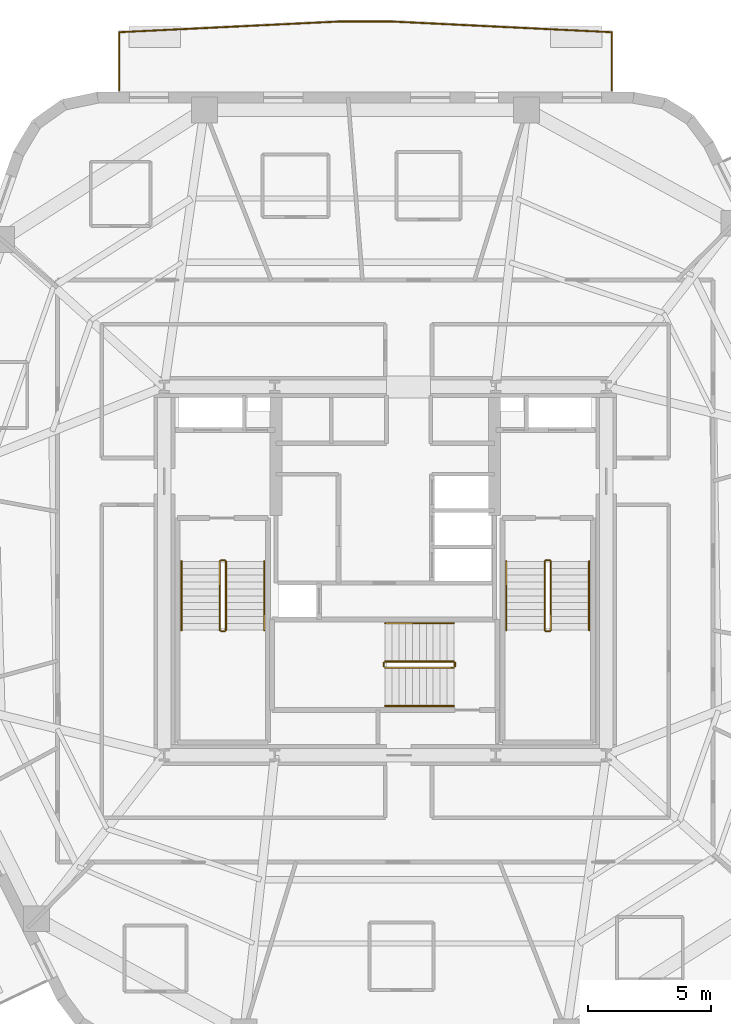
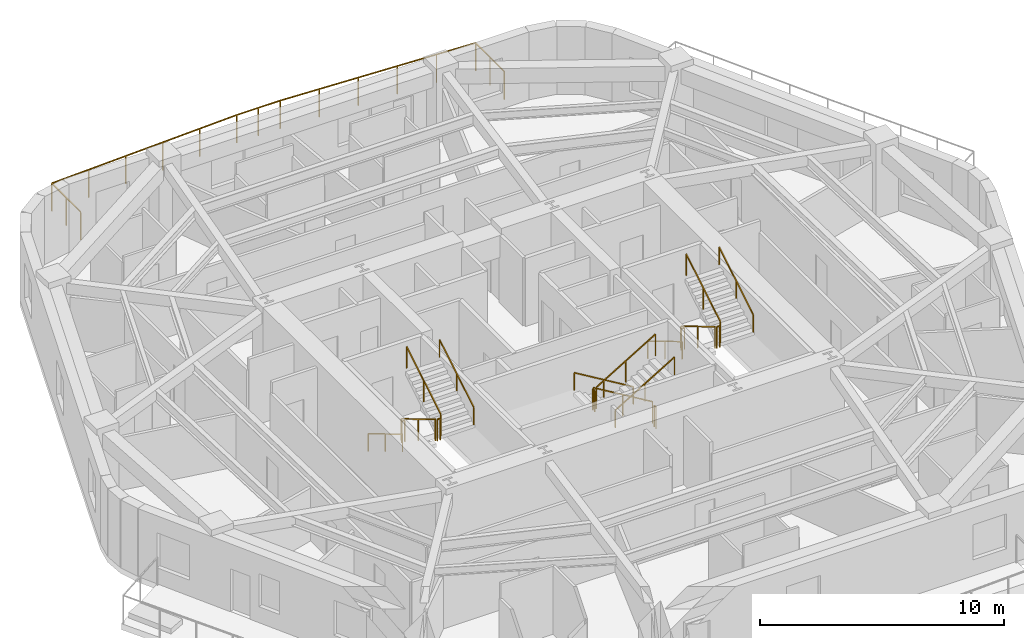
# One storey, part 9 of 10: 19 railings.
"""IFC4 building model written with IfcOpenShell, lengths in metres."""

from ifc_helpers import new_model, si_unit, direction, frame, origin, origin_2d, place, context, subcontext, project, spatial, rectangle, extrude, material, layer, layer_set, type_object, element, save


model = new_model("IFC4")

# Units and contexts
model_context = context("Model", 3, precision=1e-05, world=origin(), true_north=direction((0.0, 1.0)))
body_context = subcontext(model_context, "Body", "Model", "MODEL_VIEW")
ifc_project = project(units=[si_unit("LENGTHUNIT", "METRE"), si_unit("AREAUNIT", "SQUARE_METRE"), si_unit("VOLUMEUNIT", "CUBIC_METRE"), si_unit("PLANEANGLEUNIT", "RADIAN"), si_unit("MASSUNIT", "GRAM", prefix="KILO")], contexts=[model_context])

# Site, building, storey
site_placement = place(None, origin())
site = spatial("IfcSite", under=ifc_project, at=site_placement, CompositionType="ELEMENT")
building_placement = place(site_placement, origin())
building = spatial("IfcBuilding", under=site, at=building_placement, Name="Kilnhurst Terrace Hotel", CompositionType="ELEMENT")
storey_placement = place(building_placement, frame((0.0, 0.0, 148.0)))
storey = spatial("IfcBuildingStorey", under=building, at=storey_placement, Name="L36", CompositionType="ELEMENT", Elevation=148.0)

# Railings
ifc_material_1 = material(Name="Laminated SentryGlas and Stainless Steel AISI 316L Balustrade", Category="steel")
ifc_layer_1 = layer(ifc_material_1, 0.070068359375, Name="Laminated SentryGlas and Stainless Steel AISI 316L Balustrade")
ifc_layer_set_1 = layer_set([ifc_layer_1], Name="Laminated SentryGlas and Stainless Steel AISI 316L Balustrade")
railing_type_1 = type_object("IfcRailingType", Name="RLG-BAL-1420", PredefinedType="BALUSTRADE", material=ifc_layer_set_1)
railing_1_placement = place(storey_placement, frame((-10.83349609375, 19.580078125, 0.0)))
element("IfcRailing", 1, at=railing_1_placement, inside=storey, type_object=railing_type_1, Name="L36 Exterior Terrace Guardrail BAL-L1B.1", PredefinedType="BALUSTRADE", context=body_context, shape_type="SweptSolid", body=[
    extrude(rectangle(XDim=0.048095703125, YDim=0.048095703125, at=origin_2d()), frame((0.0, 0.0, 1.39599609375), z_axis=(0.0, 1.0, 0.0), x_axis=(-1.0, 0.0, 0.0)), (0.0, 0.0, 1.0), 2.36279296875),
    extrude(rectangle(XDim=0.048095703125, YDim=0.048095703125, at=origin_2d()), frame((0.0, 2.36279296875, 1.39599609375), z_axis=(0.998822813861, 0.048507592295, 0.0), x_axis=(-0.048507592295, 0.998822813861, 0.0)), (0.0, 0.0, 1.0), 9.009033203125),
    extrude(rectangle(XDim=0.048095703125, YDim=0.048095703125, at=origin_2d()), frame((8.99853515625, 2.7998046875, 1.39599609375), z_axis=(1.0, 0.0, 0.0), x_axis=(0.0, 1.0, 0.0)), (0.0, 0.0, 1.0), 2.0556640625),
    extrude(rectangle(XDim=0.048095703125, YDim=0.048095703125, at=origin_2d()), frame((11.05419921875, 2.7998046875, 1.39599609375), z_axis=(0.998822813861, -0.048507592295, 0.0), x_axis=(0.048507592295, 0.998822813861, 0.0)), (0.0, 0.0, 1.0), 9.009033203125),
    extrude(rectangle(XDim=0.048095703125, YDim=0.048095703125, at=origin_2d()), frame((20.052734375, 2.36279296875, 1.39599609375), z_axis=(0.0, -1.0, 0.0), x_axis=(1.0, 0.0, 0.0)), (0.0, 0.0, 1.0), 2.36279296875),
    extrude(rectangle(XDim=0.0419921875, YDim=0.0419921875, at=origin_2d()), origin(), (0.0, 0.0, 1.0), 1.371826171875),
    extrude(rectangle(XDim=0.0419921875, YDim=0.0419921875, at=origin_2d()), frame((0.0, 1.181396484375, 0.0)), (0.0, 0.0, 1.0), 1.371826171875),
    extrude(rectangle(XDim=0.0419921875, YDim=0.0419921875, at=origin_2d()), frame((0.0, 2.36279296875, 0.0)), (0.0, 0.0, 1.0), 1.371826171875),
    extrude(rectangle(XDim=0.0419921875, YDim=0.0419921875, at=origin_2d()), frame((1.7998046875, 2.4501953125, 0.0)), (0.0, 0.0, 1.0), 1.371826171875),
    extrude(rectangle(XDim=0.0419921875, YDim=0.0419921875, at=origin_2d()), frame((3.599365234375, 2.53759765625, 0.0)), (0.0, 0.0, 1.0), 1.371826171875),
    extrude(rectangle(XDim=0.0419921875, YDim=0.0419921875, at=origin_2d()), frame((5.399169921875, 2.625, 0.0)), (0.0, 0.0, 1.0), 1.371826171875),
    extrude(rectangle(XDim=0.0419921875, YDim=0.0419921875, at=origin_2d()), frame((7.19873046875, 2.71240234375, 0.0)), (0.0, 0.0, 1.0), 1.371826171875),
    extrude(rectangle(XDim=0.0419921875, YDim=0.0419921875, at=origin_2d()), frame((8.99853515625, 2.7998046875, 0.0)), (0.0, 0.0, 1.0), 1.371826171875),
    extrude(rectangle(XDim=0.0419921875, YDim=0.0419921875, at=origin_2d()), frame((10.0263671875, 2.7998046875, 0.0)), (0.0, 0.0, 1.0), 1.371826171875),
    extrude(rectangle(XDim=0.0419921875, YDim=0.0419921875, at=origin_2d()), frame((11.05419921875, 2.7998046875, 0.0)), (0.0, 0.0, 1.0), 1.371826171875),
    extrude(rectangle(XDim=0.0419921875, YDim=0.0419921875, at=origin_2d()), frame((12.85400390625, 2.71240234375, 0.0)), (0.0, 0.0, 1.0), 1.371826171875),
    extrude(rectangle(XDim=0.0419921875, YDim=0.0419921875, at=origin_2d()), frame((14.653564453125, 2.625, 0.0)), (0.0, 0.0, 1.0), 1.371826171875),
    extrude(rectangle(XDim=0.0419921875, YDim=0.0419921875, at=origin_2d()), frame((16.453369140625, 2.53759765625, 0.0)), (0.0, 0.0, 1.0), 1.371826171875),
    extrude(rectangle(XDim=0.0419921875, YDim=0.0419921875, at=origin_2d()), frame((18.2529296875, 2.4501953125, 0.0)), (0.0, 0.0, 1.0), 1.371826171875),
    extrude(rectangle(XDim=0.0419921875, YDim=0.0419921875, at=origin_2d()), frame((20.052734375, 2.36279296875, 0.0)), (0.0, 0.0, 1.0), 1.371826171875),
    extrude(rectangle(XDim=0.0419921875, YDim=0.0419921875, at=origin_2d()), frame((20.052734375, 1.181396484375, 0.0)), (0.0, 0.0, 1.0), 1.371826171875),
    extrude(rectangle(XDim=0.0419921875, YDim=0.0419921875, at=origin_2d()), frame((20.052734375, 0.0, 0.0)), (0.0, 0.0, 1.0), 1.371826171875),
])
ifc_material_2 = material(Name="Powder-Coated Steel ASTM A500 Grade B", Category="steel")
ifc_layer_2 = layer(ifc_material_2, 0.050048828125, Name="Powder-Coated Steel ASTM A500 Grade B")
ifc_layer_set_2 = layer_set([ifc_layer_2], Name="Powder-Coated Steel ASTM A500 Grade B")
railing_type_2 = type_object("IfcRailingType", Name="RLG-ST-GRD-1100", PredefinedType="GUARDRAIL", material=ifc_layer_set_2)
railing_2_placement = place(storey_placement, frame((-6.739990234375, 0.389892578125, 0.168212890625)))
element("IfcRailing", 2, at=railing_2_placement, inside=storey, type_object=railing_type_2, Name="L36 ST-1 stair guard 1", PredefinedType="GUARDRAIL", context=body_context, shape_type="SweptSolid", body=[
    extrude(rectangle(XDim=0.048095703125, YDim=0.048095703125, at=origin_2d()), frame((0.0, 0.0, 1.076171875), z_axis=(0.0, -0.857222391501, 0.514946377315), x_axis=(1.0, 0.0, 0.0)), (0.0, 0.0, 1.0), 3.26611328125),
    extrude(rectangle(XDim=0.0419921875, YDim=0.0419921875, at=origin_2d()), origin(), (0.0, 0.0, 1.0), 1.052001953125),
    extrude(rectangle(XDim=0.0419921875, YDim=0.0419921875, at=origin_2d()), frame((0.0, -1.39990234375, 0.8408203125)), (0.0, 0.0, 1.0), 1.052001953125),
    extrude(rectangle(XDim=0.0419921875, YDim=0.0419921875, at=origin_2d()), frame((0.0, -2.7998046875, 1.681884765625)), (0.0, 0.0, 1.0), 1.052001953125),
])
railing_3_placement = place(storey_placement, frame((-6.68994140625, -2.4599609375, 1.85009765625)))
element("IfcRailing", 3, at=railing_3_placement, inside=storey, type_object=railing_type_2, Name="L36 ST-1 stair guard 2", PredefinedType="GUARDRAIL", context=body_context, shape_type="SweptSolid", body=[
    extrude(rectangle(XDim=0.048095703125, YDim=0.048095703125, at=origin_2d()), frame((0.0, 0.0, 1.076171875), z_axis=(1.0, 0.0, 0.0), x_axis=(0.0, 1.0, 0.0)), (0.0, 0.0, 1.0), 0.14990234375),
    extrude(rectangle(XDim=0.0419921875, YDim=0.0419921875, at=origin_2d()), origin(), (0.0, 0.0, 1.0), 1.052001953125),
    extrude(rectangle(XDim=0.0419921875, YDim=0.0419921875, at=origin_2d()), frame((0.14990234375, 0.0, 0.0)), (0.0, 0.0, 1.0), 1.052001953125),
])
railing_4_placement = place(storey_placement, frame((-6.489990234375, -2.409912109375, 2.01806640625)))
element("IfcRailing", 4, at=railing_4_placement, inside=storey, type_object=railing_type_2, Name="L36 ST-1 stair guard 3", PredefinedType="GUARDRAIL", context=body_context, shape_type="SweptSolid", body=[
    extrude(rectangle(XDim=0.048095703125, YDim=0.048095703125, at=origin_2d()), frame((0.0, 0.0, 1.076171875), z_axis=(0.0, 0.857222391501, 0.514946377315), x_axis=(-1.0, 0.0, 0.0)), (0.0, 0.0, 1.0), 3.26611328125),
    extrude(rectangle(XDim=0.0419921875, YDim=0.0419921875, at=origin_2d()), origin(), (0.0, 0.0, 1.0), 1.052001953125),
    extrude(rectangle(XDim=0.0419921875, YDim=0.0419921875, at=origin_2d()), frame((0.0, 1.39990234375, 0.8408203125)), (0.0, 0.0, 1.0), 1.052001953125),
    extrude(rectangle(XDim=0.0419921875, YDim=0.0419921875, at=origin_2d()), frame((0.0, 2.7998046875, 1.681884765625)), (0.0, 0.0, 1.0), 1.052001953125),
])
railing_5_placement = place(storey_placement, frame((-6.68994140625, 0.43994140625, 0.0)))
element("IfcRailing", 5, at=railing_5_placement, inside=storey, type_object=railing_type_2, Name="L36 ST-1 stair guard 4", PredefinedType="GUARDRAIL", context=body_context, shape_type="SweptSolid", body=[
    extrude(rectangle(XDim=0.048095703125, YDim=0.048095703125, at=origin_2d()), frame((0.0, 0.0, 1.076171875), z_axis=(1.0, 0.0, 0.0), x_axis=(0.0, 1.0, 0.0)), (0.0, 0.0, 1.0), 0.14990234375),
    extrude(rectangle(XDim=0.0419921875, YDim=0.0419921875, at=origin_2d()), origin(), (0.0, 0.0, 1.0), 1.052001953125),
    extrude(rectangle(XDim=0.0419921875, YDim=0.0419921875, at=origin_2d()), frame((0.14990234375, 0.0, 0.0)), (0.0, 0.0, 1.0), 1.052001953125),
])
railing_6_placement = place(storey_placement, frame((6.489990234375, 0.389892578125, 0.168212890625)))
element("IfcRailing", 6, at=railing_6_placement, inside=storey, type_object=railing_type_2, Name="L36 ST-2 stair guard 1", PredefinedType="GUARDRAIL", context=body_context, shape_type="SweptSolid", body=[
    extrude(rectangle(XDim=0.048095703125, YDim=0.048095703125, at=origin_2d()), frame((0.0, 0.0, 1.076171875), z_axis=(0.0, -0.857222391501, 0.514946377315), x_axis=(1.0, 0.0, 0.0)), (0.0, 0.0, 1.0), 3.26611328125),
    extrude(rectangle(XDim=0.0419921875, YDim=0.0419921875, at=origin_2d()), origin(), (0.0, 0.0, 1.0), 1.052001953125),
    extrude(rectangle(XDim=0.0419921875, YDim=0.0419921875, at=origin_2d()), frame((0.0, -1.39990234375, 0.8408203125)), (0.0, 0.0, 1.0), 1.052001953125),
    extrude(rectangle(XDim=0.0419921875, YDim=0.0419921875, at=origin_2d()), frame((0.0, -2.7998046875, 1.681884765625)), (0.0, 0.0, 1.0), 1.052001953125),
])
railing_7_placement = place(storey_placement, frame((6.5400390625, -2.4599609375, 1.85009765625)))
element("IfcRailing", 7, at=railing_7_placement, inside=storey, type_object=railing_type_2, Name="L36 ST-2 stair guard 2", PredefinedType="GUARDRAIL", context=body_context, shape_type="SweptSolid", body=[
    extrude(rectangle(XDim=0.048095703125, YDim=0.048095703125, at=origin_2d()), frame((0.0, 0.0, 1.076171875), z_axis=(1.0, 0.0, 0.0), x_axis=(0.0, 1.0, 0.0)), (0.0, 0.0, 1.0), 0.14990234375),
    extrude(rectangle(XDim=0.0419921875, YDim=0.0419921875, at=origin_2d()), origin(), (0.0, 0.0, 1.0), 1.052001953125),
    extrude(rectangle(XDim=0.0419921875, YDim=0.0419921875, at=origin_2d()), frame((0.14990234375, 0.0, 0.0)), (0.0, 0.0, 1.0), 1.052001953125),
])
railing_8_placement = place(storey_placement, frame((6.739990234375, -2.409912109375, 2.01806640625)))
element("IfcRailing", 8, at=railing_8_placement, inside=storey, type_object=railing_type_2, Name="L36 ST-2 stair guard 3", PredefinedType="GUARDRAIL", context=body_context, shape_type="SweptSolid", body=[
    extrude(rectangle(XDim=0.048095703125, YDim=0.048095703125, at=origin_2d()), frame((0.0, 0.0, 1.076171875), z_axis=(0.0, 0.857222391501, 0.514946377315), x_axis=(-1.0, 0.0, 0.0)), (0.0, 0.0, 1.0), 3.26611328125),
    extrude(rectangle(XDim=0.0419921875, YDim=0.0419921875, at=origin_2d()), origin(), (0.0, 0.0, 1.0), 1.052001953125),
    extrude(rectangle(XDim=0.0419921875, YDim=0.0419921875, at=origin_2d()), frame((0.0, 1.39990234375, 0.8408203125)), (0.0, 0.0, 1.0), 1.052001953125),
    extrude(rectangle(XDim=0.0419921875, YDim=0.0419921875, at=origin_2d()), frame((0.0, 2.7998046875, 1.681884765625)), (0.0, 0.0, 1.0), 1.052001953125),
])
railing_9_placement = place(storey_placement, frame((6.5400390625, 0.43994140625, 0.0)))
element("IfcRailing", 9, at=railing_9_placement, inside=storey, type_object=railing_type_2, Name="L36 ST-2 stair guard 4", PredefinedType="GUARDRAIL", context=body_context, shape_type="SweptSolid", body=[
    extrude(rectangle(XDim=0.048095703125, YDim=0.048095703125, at=origin_2d()), frame((0.0, 0.0, 1.076171875), z_axis=(1.0, 0.0, 0.0), x_axis=(0.0, 1.0, 0.0)), (0.0, 0.0, 1.0), 0.14990234375),
    extrude(rectangle(XDim=0.0419921875, YDim=0.0419921875, at=origin_2d()), origin(), (0.0, 0.0, 1.0), 1.052001953125),
    extrude(rectangle(XDim=0.0419921875, YDim=0.0419921875, at=origin_2d()), frame((0.14990234375, 0.0, 0.0)), (0.0, 0.0, 1.0), 1.052001953125),
])
railing_10_placement = place(storey_placement, frame((2.7900390625, -3.68994140625, 0.168212890625)))
element("IfcRailing", 10, at=railing_10_placement, inside=storey, type_object=railing_type_2, Name="L36 ST-3 stair guard 1", PredefinedType="GUARDRAIL", context=body_context, shape_type="SweptSolid", body=[
    extrude(rectangle(XDim=0.048095703125, YDim=0.048095703125, at=origin_2d()), frame((0.0, 0.0, 1.076171875), z_axis=(-0.857242210791, 0.0, 0.514913383045), x_axis=(0.0, -1.0, 0.0)), (0.0, 0.0, 1.0), 3.266357421875),
    extrude(rectangle(XDim=0.0419921875, YDim=0.0419921875, at=origin_2d()), origin(), (0.0, 0.0, 1.0), 1.052001953125),
    extrude(rectangle(XDim=0.0419921875, YDim=0.0419921875, at=origin_2d()), frame((-1.39990234375, 0.0, 0.8408203125)), (0.0, 0.0, 1.0), 1.052001953125),
    extrude(rectangle(XDim=0.0419921875, YDim=0.0419921875, at=origin_2d()), frame((-2.800048828125, 0.0, 1.681884765625)), (0.0, 0.0, 1.0), 1.052001953125),
])
railing_11_placement = place(storey_placement, frame((-0.06005859375, -3.739990234375, 1.85009765625)))
element("IfcRailing", 11, at=railing_11_placement, inside=storey, type_object=railing_type_2, Name="L36 ST-3 stair guard 2", PredefinedType="GUARDRAIL", context=body_context, shape_type="SweptSolid", body=[
    extrude(rectangle(XDim=0.048095703125, YDim=0.048095703125, at=origin_2d()), frame((0.0, 0.0, 1.076171875), z_axis=(0.0, -1.0, 0.0), x_axis=(1.0, 0.0, 0.0)), (0.0, 0.0, 1.0), 0.14990234375),
    extrude(rectangle(XDim=0.0419921875, YDim=0.0419921875, at=origin_2d()), origin(), (0.0, 0.0, 1.0), 1.052001953125),
    extrude(rectangle(XDim=0.0419921875, YDim=0.0419921875, at=origin_2d()), frame((0.0, -0.14990234375, 0.0)), (0.0, 0.0, 1.0), 1.052001953125),
])
railing_12_placement = place(storey_placement, frame((-0.010009765625, -3.93994140625, 2.01806640625)))
element("IfcRailing", 12, at=railing_12_placement, inside=storey, type_object=railing_type_2, Name="L36 ST-3 stair guard 3", PredefinedType="GUARDRAIL", context=body_context, shape_type="SweptSolid", body=[
    extrude(rectangle(XDim=0.048095703125, YDim=0.048095703125, at=origin_2d()), frame((0.0, 0.0, 1.076171875), z_axis=(0.857242210791, 0.0, 0.514913383045), x_axis=(0.0, 1.0, 0.0)), (0.0, 0.0, 1.0), 3.266357421875),
    extrude(rectangle(XDim=0.0419921875, YDim=0.0419921875, at=origin_2d()), origin(), (0.0, 0.0, 1.0), 1.052001953125),
    extrude(rectangle(XDim=0.0419921875, YDim=0.0419921875, at=origin_2d()), frame((1.39990234375, 0.0, 0.8408203125)), (0.0, 0.0, 1.0), 1.052001953125),
    extrude(rectangle(XDim=0.0419921875, YDim=0.0419921875, at=origin_2d()), frame((2.800048828125, 0.0, 1.681884765625)), (0.0, 0.0, 1.0), 1.052001953125),
])
railing_13_placement = place(storey_placement, frame((2.840087890625, -3.739990234375, 0.0)))
element("IfcRailing", 13, at=railing_13_placement, inside=storey, type_object=railing_type_2, Name="L36 ST-3 stair guard 4", PredefinedType="GUARDRAIL", context=body_context, shape_type="SweptSolid", body=[
    extrude(rectangle(XDim=0.048095703125, YDim=0.048095703125, at=origin_2d()), frame((0.0, 0.0, 1.076171875), z_axis=(0.0, -1.0, 0.0), x_axis=(1.0, 0.0, 0.0)), (0.0, 0.0, 1.0), 0.14990234375),
    extrude(rectangle(XDim=0.0419921875, YDim=0.0419921875, at=origin_2d()), origin(), (0.0, 0.0, 1.0), 1.052001953125),
    extrude(rectangle(XDim=0.0419921875, YDim=0.0419921875, at=origin_2d()), frame((0.0, -0.14990234375, 0.0)), (0.0, 0.0, 1.0), 1.052001953125),
])
ifc_material_3 = material(Name="Brushed Stainless Steel AISI 304", Category="steel")
ifc_layer_3 = layer(ifc_material_3, 0.048095703125, Name="Brushed Stainless Steel AISI 304")
ifc_layer_set_3 = layer_set([ifc_layer_3], Name="Brushed Stainless Steel AISI 304")
railing_type_3 = type_object("IfcRailingType", Name="RLG-ST-HRL-900", PredefinedType="HANDRAIL", material=ifc_layer_set_3)
railing_14_placement = place(storey_placement, frame((-8.300048828125, 0.389892578125, 0.168212890625)))
element("IfcRailing", 14, at=railing_14_placement, inside=storey, type_object=railing_type_3, Name="L36 ST-1 stair handrail 1", PredefinedType="HANDRAIL", context=body_context, shape_type="SweptSolid", body=[
    extrude(rectangle(XDim=0.048095703125, YDim=0.048095703125, at=origin_2d()), frame((0.0, 0.0, 0.8759765625), z_axis=(0.0, -0.857222391501, 0.514946377315), x_axis=(1.0, 0.0, 0.0)), (0.0, 0.0, 1.0), 3.26611328125),
    extrude(rectangle(XDim=0.0419921875, YDim=0.0419921875, at=origin_2d()), origin(), (0.0, 0.0, 1.0), 0.851806640625),
    extrude(rectangle(XDim=0.0419921875, YDim=0.0419921875, at=origin_2d()), frame((0.0, -1.39990234375, 0.8408203125)), (0.0, 0.0, 1.0), 0.851806640625),
    extrude(rectangle(XDim=0.0419921875, YDim=0.0419921875, at=origin_2d()), frame((0.0, -2.7998046875, 1.681884765625)), (0.0, 0.0, 1.0), 0.851806640625),
])
railing_15_placement = place(storey_placement, frame((-4.929931640625, -2.409912109375, 2.01806640625)))
element("IfcRailing", 15, at=railing_15_placement, inside=storey, type_object=railing_type_3, Name="L36 ST-1 stair handrail 2", PredefinedType="HANDRAIL", context=body_context, shape_type="SweptSolid", body=[
    extrude(rectangle(XDim=0.048095703125, YDim=0.048095703125, at=origin_2d()), frame((0.0, 0.0, 0.8759765625), z_axis=(0.0, 0.857222391501, 0.514946377315), x_axis=(-1.0, 0.0, 0.0)), (0.0, 0.0, 1.0), 3.26611328125),
    extrude(rectangle(XDim=0.0419921875, YDim=0.0419921875, at=origin_2d()), origin(), (0.0, 0.0, 1.0), 0.851806640625),
    extrude(rectangle(XDim=0.0419921875, YDim=0.0419921875, at=origin_2d()), frame((0.0, 1.39990234375, 0.8408203125)), (0.0, 0.0, 1.0), 0.851806640625),
    extrude(rectangle(XDim=0.0419921875, YDim=0.0419921875, at=origin_2d()), frame((0.0, 2.7998046875, 1.681884765625)), (0.0, 0.0, 1.0), 0.851806640625),
])
railing_16_placement = place(storey_placement, frame((4.929931640625, 0.389892578125, 0.168212890625)))
element("IfcRailing", 16, at=railing_16_placement, inside=storey, type_object=railing_type_3, Name="L36 ST-2 stair handrail 1", PredefinedType="HANDRAIL", context=body_context, shape_type="SweptSolid", body=[
    extrude(rectangle(XDim=0.048095703125, YDim=0.048095703125, at=origin_2d()), frame((0.0, 0.0, 0.8759765625), z_axis=(0.0, -0.857222391501, 0.514946377315), x_axis=(1.0, 0.0, 0.0)), (0.0, 0.0, 1.0), 3.26611328125),
    extrude(rectangle(XDim=0.0419921875, YDim=0.0419921875, at=origin_2d()), origin(), (0.0, 0.0, 1.0), 0.851806640625),
    extrude(rectangle(XDim=0.0419921875, YDim=0.0419921875, at=origin_2d()), frame((0.0, -1.39990234375, 0.8408203125)), (0.0, 0.0, 1.0), 0.851806640625),
    extrude(rectangle(XDim=0.0419921875, YDim=0.0419921875, at=origin_2d()), frame((0.0, -2.7998046875, 1.681884765625)), (0.0, 0.0, 1.0), 0.851806640625),
])
railing_17_placement = place(storey_placement, frame((8.300048828125, -2.409912109375, 2.01806640625)))
element("IfcRailing", 17, at=railing_17_placement, inside=storey, type_object=railing_type_3, Name="L36 ST-2 stair handrail 2", PredefinedType="HANDRAIL", context=body_context, shape_type="SweptSolid", body=[
    extrude(rectangle(XDim=0.048095703125, YDim=0.048095703125, at=origin_2d()), frame((0.0, 0.0, 0.8759765625), z_axis=(0.0, 0.857222391501, 0.514946377315), x_axis=(-1.0, 0.0, 0.0)), (0.0, 0.0, 1.0), 3.26611328125),
    extrude(rectangle(XDim=0.0419921875, YDim=0.0419921875, at=origin_2d()), origin(), (0.0, 0.0, 1.0), 0.851806640625),
    extrude(rectangle(XDim=0.0419921875, YDim=0.0419921875, at=origin_2d()), frame((0.0, 1.39990234375, 0.8408203125)), (0.0, 0.0, 1.0), 0.851806640625),
    extrude(rectangle(XDim=0.0419921875, YDim=0.0419921875, at=origin_2d()), frame((0.0, 2.7998046875, 1.681884765625)), (0.0, 0.0, 1.0), 0.851806640625),
])
railing_18_placement = place(storey_placement, frame((2.7900390625, -2.1298828125, 0.168212890625)))
element("IfcRailing", 18, at=railing_18_placement, inside=storey, type_object=railing_type_3, Name="L36 ST-3 stair handrail 1", PredefinedType="HANDRAIL", context=body_context, shape_type="SweptSolid", body=[
    extrude(rectangle(XDim=0.048095703125, YDim=0.048095703125, at=origin_2d()), frame((0.0, 0.0, 0.8759765625), z_axis=(-0.857242210791, 0.0, 0.514913383045), x_axis=(0.0, -1.0, 0.0)), (0.0, 0.0, 1.0), 3.266357421875),
    extrude(rectangle(XDim=0.0419921875, YDim=0.0419921875, at=origin_2d()), origin(), (0.0, 0.0, 1.0), 0.851806640625),
    extrude(rectangle(XDim=0.0419921875, YDim=0.0419921875, at=origin_2d()), frame((-1.39990234375, 0.0, 0.8408203125)), (0.0, 0.0, 1.0), 0.851806640625),
    extrude(rectangle(XDim=0.0419921875, YDim=0.0419921875, at=origin_2d()), frame((-2.800048828125, 0.0, 1.681884765625)), (0.0, 0.0, 1.0), 0.851806640625),
])
railing_19_placement = place(storey_placement, frame((-0.010009765625, -5.5, 2.01806640625)))
element("IfcRailing", 19, at=railing_19_placement, inside=storey, type_object=railing_type_3, Name="L36 ST-3 stair handrail 2", PredefinedType="HANDRAIL", context=body_context, shape_type="SweptSolid", body=[
    extrude(rectangle(XDim=0.048095703125, YDim=0.048095703125, at=origin_2d()), frame((0.0, 0.0, 0.8759765625), z_axis=(0.857242210791, 0.0, 0.514913383045), x_axis=(0.0, 1.0, 0.0)), (0.0, 0.0, 1.0), 3.266357421875),
    extrude(rectangle(XDim=0.0419921875, YDim=0.0419921875, at=origin_2d()), origin(), (0.0, 0.0, 1.0), 0.851806640625),
    extrude(rectangle(XDim=0.0419921875, YDim=0.0419921875, at=origin_2d()), frame((1.39990234375, 0.0, 0.8408203125)), (0.0, 0.0, 1.0), 0.851806640625),
    extrude(rectangle(XDim=0.0419921875, YDim=0.0419921875, at=origin_2d()), frame((2.800048828125, 0.0, 1.681884765625)), (0.0, 0.0, 1.0), 0.851806640625),
])

save(model, "model.ifc")
